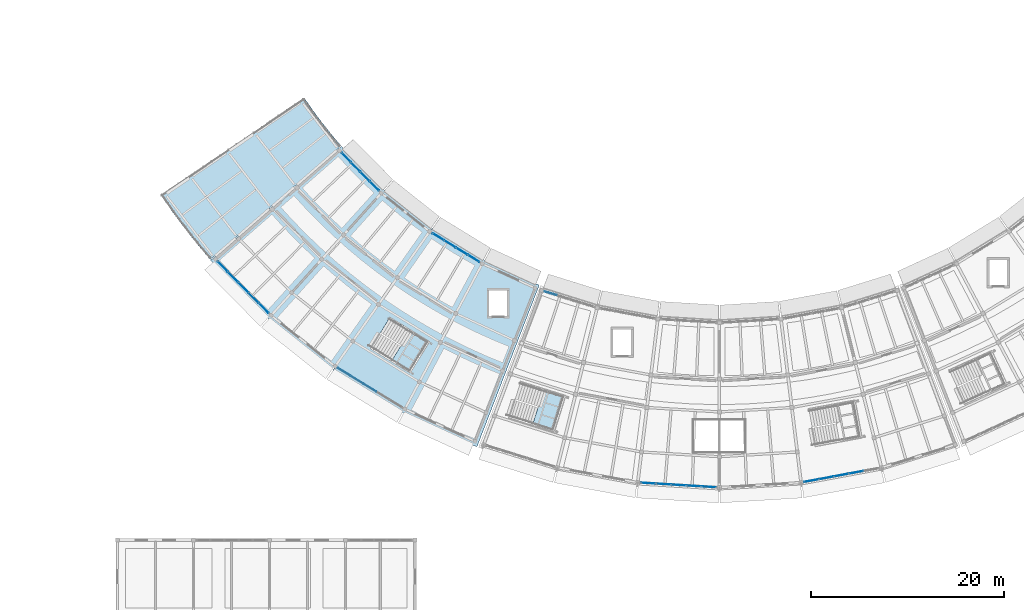
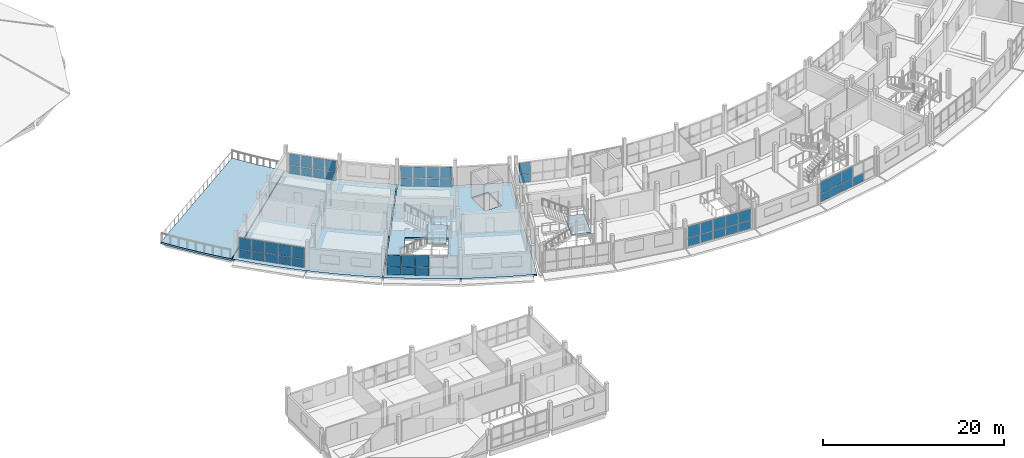
# One storey, part 42 of 66: 51 plates, 5 slabs, 9 elements without a shape of their own.
"""IFC4 building model written with IfcOpenShell, lengths in metres."""

from ifc_helpers import new_model, si_unit, direction, frame, origin, origin_2d, place, context, subcontext, project, spatial, polyline, rectangle, outline, extrude, material, layer, layer_set, type_object, element, aggregate, save


model = new_model("IFC4")

# Units and contexts
model_context = context("Model", 3, precision=1e-05, world=origin(), true_north=direction((0.0, 1.0)))
body_context = subcontext(model_context, "Body", "Model", "MODEL_VIEW")
ifc_project = project(units=[si_unit("LENGTHUNIT", "METRE"), si_unit("AREAUNIT", "SQUARE_METRE"), si_unit("VOLUMEUNIT", "CUBIC_METRE"), si_unit("PLANEANGLEUNIT", "RADIAN"), si_unit("MASSUNIT", "GRAM", prefix="KILO")], contexts=[model_context])

# Site, building, storey
site_placement = place(None, origin())
site = spatial("IfcSite", under=ifc_project, at=site_placement, CompositionType="ELEMENT")
building_placement = place(site_placement, origin())
building = spatial("IfcBuilding", under=site, at=building_placement, Name="Caldaven Crescent School", CompositionType="ELEMENT")
storey_placement = place(building_placement, frame((0.0, 0.0, 8.159912109375)))
storey = spatial("IfcBuildingStorey", under=building, at=storey_placement, Name="L02", CompositionType="ELEMENT", Elevation=8.159912109375)

# Curtain wall, plates
ifc_material_1 = material(Name="Anodised aluminium AA 6063-T6 and low-E double glazing", Category="aluminium")
ifc_layer_1 = layer(ifc_material_1, 0.2099609375)
ifc_layer_set_1 = layer_set([ifc_layer_1], Name="Anodised aluminium AA 6063-T6 and low-E double glazing")
curtain_wall_type_1 = type_object("IfcCurtainWallType", Name="CW-SYS3", PredefinedType="NOTDEFINED", material=ifc_layer_set_1)
curtain_wall_1_placement = place(storey_placement, origin())
curtain_wall_1 = element("IfcCurtainWall", 1, at=curtain_wall_1_placement, inside=storey, type_object=curtain_wall_type_1, Name="CW-L02-144", PredefinedType="NOTDEFINED")
ifc_material_2 = material(Name="Tempered low-E double glazing IGU", Category="glass")
ifc_layer_2 = layer(ifc_material_2, 0.02587890625)
ifc_layer_set_2 = layer_set([ifc_layer_2], Name="Tempered low-E double glazing IGU")
plate_type_1 = type_object("IfcPlateType", Name="PLT-CWP01", PredefinedType="CURTAIN_PANEL", material=ifc_layer_set_2)
plate_1_placement = place(storey_placement, frame((80.62744140625, 26.90087890625, 0.070068359375), z_axis=(0.0, 0.0, 1.0), x_axis=(0.998134766843, -0.061049055851, 0.0)))
plate_1 = element("IfcPlate", 2, at=plate_1_placement, type_object=plate_type_1, Name="CW3 panel 1.1", PredefinedType="CURTAIN_PANEL", context=body_context, shape_type="SweptSolid", body=[
    extrude(rectangle(XDim=1.48095703125, YDim=0.02587890625, at=origin_2d()), origin(), (0.0, 0.0, 1.0), 1.06298828125),
])
plate_2_placement = place(storey_placement, frame((80.62744140625, 26.90087890625, 1.203125), z_axis=(0.0, 0.0, 1.0), x_axis=(0.998134766843, -0.061049055851, 0.0)))
plate_2 = element("IfcPlate", 3, at=plate_2_placement, type_object=plate_type_1, Name="CW3 panel 1.2", PredefinedType="CURTAIN_PANEL", context=body_context, shape_type="SweptSolid", body=[
    extrude(rectangle(XDim=1.48095703125, YDim=0.02587890625, at=origin_2d()), origin(), (0.0, 0.0, 1.0), 1.507080078125),
])
plate_3_placement = place(storey_placement, frame((82.1865234375, 26.8056640625, 0.070068359375), z_axis=(0.0, 0.0, 1.0), x_axis=(0.998134766843, -0.061049055851, 0.0)))
plate_3 = element("IfcPlate", 4, at=plate_3_placement, type_object=plate_type_1, Name="CW3 panel 2.1", PredefinedType="CURTAIN_PANEL", context=body_context, shape_type="SweptSolid", body=[
    extrude(rectangle(XDim=1.513427734375, YDim=0.02587890625, at=origin_2d()), origin(), (0.0, 0.0, 1.0), 1.06298828125),
])
plate_4_placement = place(storey_placement, frame((82.1865234375, 26.8056640625, 1.203125), z_axis=(0.0, 0.0, 1.0), x_axis=(0.998134766843, -0.061049055851, 0.0)))
plate_4 = element("IfcPlate", 5, at=plate_4_placement, type_object=plate_type_1, Name="CW3 panel 2.2", PredefinedType="CURTAIN_PANEL", context=body_context, shape_type="SweptSolid", body=[
    extrude(rectangle(XDim=1.513427734375, YDim=0.02587890625, at=origin_2d()), origin(), (0.0, 0.0, 1.0), 1.507080078125),
])
plate_5_placement = place(storey_placement, frame((83.761962890625, 26.709228515625, 0.070068359375), z_axis=(0.0, 0.0, 1.0), x_axis=(0.998134766843, -0.061049055851, 0.0)))
plate_5 = element("IfcPlate", 6, at=plate_5_placement, type_object=plate_type_1, Name="CW3 panel 3.1", PredefinedType="CURTAIN_PANEL", context=body_context, shape_type="SweptSolid", body=[
    extrude(rectangle(XDim=1.513427734375, YDim=0.02587890625, at=origin_2d()), origin(), (0.0, 0.0, 1.0), 1.06298828125),
])
plate_6_placement = place(storey_placement, frame((83.761962890625, 26.709228515625, 1.203125), z_axis=(0.0, 0.0, 1.0), x_axis=(0.998134766843, -0.061049055851, 0.0)))
plate_6 = element("IfcPlate", 7, at=plate_6_placement, type_object=plate_type_1, Name="CW3 panel 3.2", PredefinedType="CURTAIN_PANEL", context=body_context, shape_type="SweptSolid", body=[
    extrude(rectangle(XDim=1.513427734375, YDim=0.02587890625, at=origin_2d()), origin(), (0.0, 0.0, 1.0), 1.507080078125),
])
plate_7_placement = place(storey_placement, frame((85.33740234375, 26.61279296875, 0.070068359375), z_axis=(0.0, 0.0, 1.0), x_axis=(0.998134766843, -0.061049055851, 0.0)))
plate_7 = element("IfcPlate", 8, at=plate_7_placement, type_object=plate_type_1, Name="CW3 panel 4.1", PredefinedType="CURTAIN_PANEL", context=body_context, shape_type="SweptSolid", body=[
    extrude(rectangle(XDim=1.513427734375, YDim=0.02587890625, at=origin_2d()), origin(), (0.0, 0.0, 1.0), 1.06298828125),
])
plate_8_placement = place(storey_placement, frame((85.33740234375, 26.61279296875, 1.203125), z_axis=(0.0, 0.0, 1.0), x_axis=(0.998134766843, -0.061049055851, 0.0)))
plate_8 = element("IfcPlate", 9, at=plate_8_placement, type_object=plate_type_1, Name="CW3 panel 4.2", PredefinedType="CURTAIN_PANEL", context=body_context, shape_type="SweptSolid", body=[
    extrude(rectangle(XDim=1.513427734375, YDim=0.02587890625, at=origin_2d()), origin(), (0.0, 0.0, 1.0), 1.507080078125),
])
plate_9_placement = place(storey_placement, frame((86.896728515625, 26.517578125, 0.070068359375), z_axis=(0.0, 0.0, 1.0), x_axis=(0.998134766843, -0.061049055851, 0.0)))
plate_9 = element("IfcPlate", 10, at=plate_9_placement, type_object=plate_type_1, Name="CW3 panel 5.1", PredefinedType="CURTAIN_PANEL", context=body_context, shape_type="SweptSolid", body=[
    extrude(rectangle(XDim=1.48095703125, YDim=0.02587890625, at=origin_2d()), origin(), (0.0, 0.0, 1.0), 1.06298828125),
])
plate_10_placement = place(storey_placement, frame((86.896728515625, 26.517578125, 1.203125), z_axis=(0.0, 0.0, 1.0), x_axis=(0.998134766843, -0.061049055851, 0.0)))
plate_10 = element("IfcPlate", 11, at=plate_10_placement, type_object=plate_type_1, Name="CW3 panel 5.2", PredefinedType="CURTAIN_PANEL", context=body_context, shape_type="SweptSolid", body=[
    extrude(rectangle(XDim=1.48095703125, YDim=0.02587890625, at=origin_2d()), origin(), (0.0, 0.0, 1.0), 1.507080078125),
])
aggregate(curtain_wall_1, [plate_1, plate_2, plate_3, plate_4, plate_5, plate_6, plate_7, plate_8, plate_9, plate_10])

ifc_layer_3 = layer(ifc_material_1, 0.169921875)
ifc_layer_set_3 = layer_set([ifc_layer_3], Name="Anodised aluminium AA 6063-T6 and low-E double glazing")
curtain_wall_type_2 = type_object("IfcCurtainWallType", Name="CW-SYS1", PredefinedType="NOTDEFINED", material=ifc_layer_set_3)
curtain_wall_2_placement = place(storey_placement, origin())
curtain_wall_2 = element("IfcCurtainWall", 12, at=curtain_wall_2_placement, inside=storey, type_object=curtain_wall_type_2, Name="CW-L02-147", PredefinedType="NOTDEFINED")
ifc_layer_4 = layer(ifc_material_2, 0.031982421875)
ifc_layer_set_4 = layer_set([ifc_layer_4], Name="Tempered low-E double glazing IGU")
plate_type_2 = type_object("IfcPlateType", Name="PLT-CWP04", PredefinedType="CURTAIN_PANEL", material=ifc_layer_set_4)
plate_11_placement = place(storey_placement, frame((97.561767578125, 27.169677734375, 0.06005859375), z_axis=(0.0, 0.0, 1.0), x_axis=(0.983255029874, 0.182234865564, 0.0)))
plate_11 = element("IfcPlate", 13, at=plate_11_placement, type_object=plate_type_2, Name="CW1 panel 1.1", PredefinedType="CURTAIN_PANEL", context=body_context, shape_type="SweptSolid", body=[
    extrude(rectangle(XDim=1.48828125, YDim=0.031982421875, at=origin_2d()), origin(), (0.0, 0.0, 1.0), 1.077880859375),
])
plate_12_placement = place(storey_placement, frame((97.561767578125, 27.169677734375, 1.197998046875), z_axis=(0.0, 0.0, 1.0), x_axis=(0.983255029874, 0.182234865564, 0.0)))
plate_12 = element("IfcPlate", 14, at=plate_12_placement, type_object=plate_type_2, Name="CW1 panel 1.2", PredefinedType="CURTAIN_PANEL", context=body_context, shape_type="SweptSolid", body=[
    extrude(rectangle(XDim=1.48828125, YDim=0.031982421875, at=origin_2d()), origin(), (0.0, 0.0, 1.0), 1.52197265625),
])
plate_13_placement = place(storey_placement, frame((99.098876953125, 27.45458984375, 0.06005859375), z_axis=(0.0, 0.0, 1.0), x_axis=(0.983255029874, 0.182234865564, 0.0)))
plate_13 = element("IfcPlate", 15, at=plate_13_placement, type_object=plate_type_2, Name="CW1 panel 2.1", PredefinedType="CURTAIN_PANEL", context=body_context, shape_type="SweptSolid", body=[
    extrude(rectangle(XDim=1.518310546875, YDim=0.031982421875, at=origin_2d()), origin(), (0.0, 0.0, 1.0), 1.077880859375),
])
plate_14_placement = place(storey_placement, frame((99.098876953125, 27.45458984375, 1.197998046875), z_axis=(0.0, 0.0, 1.0), x_axis=(0.983255029874, 0.182234865564, 0.0)))
plate_14 = element("IfcPlate", 16, at=plate_14_placement, type_object=plate_type_2, Name="CW1 panel 2.2", PredefinedType="CURTAIN_PANEL", context=body_context, shape_type="SweptSolid", body=[
    extrude(rectangle(XDim=1.518310546875, YDim=0.031982421875, at=origin_2d()), origin(), (0.0, 0.0, 1.0), 1.52197265625),
])
plate_15_placement = place(storey_placement, frame((100.65087890625, 27.7421875, 0.06005859375), z_axis=(0.0, 0.0, 1.0), x_axis=(0.983255029874, 0.182234865564, 0.0)))
plate_15 = element("IfcPlate", 17, at=plate_15_placement, type_object=plate_type_2, Name="CW1 panel 3.1", PredefinedType="CURTAIN_PANEL", context=body_context, shape_type="SweptSolid", body=[
    extrude(rectangle(XDim=1.518310546875, YDim=0.031982421875, at=origin_2d()), origin(), (0.0, 0.0, 1.0), 1.077880859375),
])
plate_16_placement = place(storey_placement, frame((100.65087890625, 27.7421875, 1.197998046875), z_axis=(0.0, 0.0, 1.0), x_axis=(0.983255029874, 0.182234865564, 0.0)))
plate_16 = element("IfcPlate", 18, at=plate_16_placement, type_object=plate_type_2, Name="CW1 panel 3.2", PredefinedType="CURTAIN_PANEL", context=body_context, shape_type="SweptSolid", body=[
    extrude(rectangle(XDim=1.518310546875, YDim=0.031982421875, at=origin_2d()), origin(), (0.0, 0.0, 1.0), 1.52197265625),
])
plate_17_placement = place(storey_placement, frame((102.202880859375, 28.02978515625, 0.06005859375), z_axis=(0.0, 0.0, 1.0), x_axis=(0.983255029874, 0.182234865564, 0.0)))
plate_17 = element("IfcPlate", 19, at=plate_17_placement, type_object=plate_type_2, Name="CW1 panel 4.1", PredefinedType="CURTAIN_PANEL", context=body_context, shape_type="SweptSolid", body=[
    extrude(rectangle(XDim=1.518310546875, YDim=0.031982421875, at=origin_2d()), origin(), (0.0, 0.0, 1.0), 1.077880859375),
])
aggregate(curtain_wall_2, [plate_11, plate_12, plate_13, plate_14, plate_15, plate_16, plate_17])

curtain_wall_3_placement = place(storey_placement, origin())
curtain_wall_3 = element("IfcCurtainWall", 20, at=curtain_wall_3_placement, inside=storey, type_object=curtain_wall_type_1, Name="CW-L02-136", PredefinedType="NOTDEFINED")
ifc_layer_5 = layer(ifc_material_2, 0.05810546875)
ifc_layer_set_5 = layer_set([ifc_layer_5], Name="Tempered low-E double glazing IGU")
plate_type_3 = type_object("IfcPlateType", Name="PLT-CWP17", PredefinedType="CURTAIN_PANEL", material=ifc_layer_set_5)
plate_18_placement = place(storey_placement, frame((49.2705078125, 60.704345703125, 0.06494140625), z_axis=(0.0, 0.0, 1.0), x_axis=(0.702369599793, -0.711812436873, 0.0)))
plate_18 = element("IfcPlate", 21, at=plate_18_placement, type_object=plate_type_3, Name="CW3 panel 1.1", PredefinedType="CURTAIN_PANEL", context=body_context, shape_type="SweptSolid", body=[
    extrude(rectangle(XDim=1.292236328125, YDim=0.05810546875, at=origin_2d()), origin(), (0.0, 0.0, 1.0), 1.070556640625),
])
plate_19_placement = place(storey_placement, frame((49.2705078125, 60.704345703125, 1.20068359375), z_axis=(0.0, 0.0, 1.0), x_axis=(0.702369599793, -0.711812436873, 0.0)))
plate_19 = element("IfcPlate", 22, at=plate_19_placement, type_object=plate_type_3, Name="CW3 panel 1.2", PredefinedType="CURTAIN_PANEL", context=body_context, shape_type="SweptSolid", body=[
    extrude(rectangle(XDim=1.292236328125, YDim=0.05810546875, at=origin_2d()), origin(), (0.0, 0.0, 1.0), 1.514404296875),
])
plate_20_placement = place(storey_placement, frame((50.23974609375, 59.72216796875, 0.06494140625), z_axis=(0.0, 0.0, 1.0), x_axis=(0.702369599793, -0.711812436873, 0.0)))
plate_20 = element("IfcPlate", 23, at=plate_20_placement, type_object=plate_type_3, Name="CW3 panel 2.1", PredefinedType="CURTAIN_PANEL", context=body_context, shape_type="SweptSolid", body=[
    extrude(rectangle(XDim=1.327392578125, YDim=0.05810546875, at=origin_2d()), origin(), (0.0, 0.0, 1.0), 1.070556640625),
])
plate_21_placement = place(storey_placement, frame((50.23974609375, 59.72216796875, 1.20068359375), z_axis=(0.0, 0.0, 1.0), x_axis=(0.702369599793, -0.711812436873, 0.0)))
plate_21 = element("IfcPlate", 24, at=plate_21_placement, type_object=plate_type_3, Name="CW3 panel 2.2", PredefinedType="CURTAIN_PANEL", context=body_context, shape_type="SweptSolid", body=[
    extrude(rectangle(XDim=1.327392578125, YDim=0.05810546875, at=origin_2d()), origin(), (0.0, 0.0, 1.0), 1.514404296875),
])
plate_22_placement = place(storey_placement, frame((51.22119140625, 58.7275390625, 0.06494140625), z_axis=(0.0, 0.0, 1.0), x_axis=(0.702369599793, -0.711812436873, 0.0)))
plate_22 = element("IfcPlate", 25, at=plate_22_placement, type_object=plate_type_3, Name="CW3 panel 3.1", PredefinedType="CURTAIN_PANEL", context=body_context, shape_type="SweptSolid", body=[
    extrude(rectangle(XDim=1.327392578125, YDim=0.05810546875, at=origin_2d()), origin(), (0.0, 0.0, 1.0), 1.070556640625),
])
plate_23_placement = place(storey_placement, frame((51.22119140625, 58.7275390625, 1.20068359375), z_axis=(0.0, 0.0, 1.0), x_axis=(0.702369599793, -0.711812436873, 0.0)))
plate_23 = element("IfcPlate", 26, at=plate_23_placement, type_object=plate_type_3, Name="CW3 panel 3.2", PredefinedType="CURTAIN_PANEL", context=body_context, shape_type="SweptSolid", body=[
    extrude(rectangle(XDim=1.327392578125, YDim=0.05810546875, at=origin_2d()), origin(), (0.0, 0.0, 1.0), 1.514404296875),
])
plate_24_placement = place(storey_placement, frame((52.1904296875, 57.745361328125, 0.06494140625), z_axis=(0.0, 0.0, 1.0), x_axis=(0.702369599793, -0.711812436873, 0.0)))
plate_24 = element("IfcPlate", 27, at=plate_24_placement, type_object=plate_type_3, Name="CW3 panel 4.1", PredefinedType="CURTAIN_PANEL", context=body_context, shape_type="SweptSolid", body=[
    extrude(rectangle(XDim=1.292236328125, YDim=0.05810546875, at=origin_2d()), origin(), (0.0, 0.0, 1.0), 1.070556640625),
])
plate_25_placement = place(storey_placement, frame((52.1904296875, 57.745361328125, 1.20068359375), z_axis=(0.0, 0.0, 1.0), x_axis=(0.702369599793, -0.711812436873, 0.0)))
plate_25 = element("IfcPlate", 28, at=plate_25_placement, type_object=plate_type_3, Name="CW3 panel 4.2", PredefinedType="CURTAIN_PANEL", context=body_context, shape_type="SweptSolid", body=[
    extrude(rectangle(XDim=1.292236328125, YDim=0.05810546875, at=origin_2d()), origin(), (0.0, 0.0, 1.0), 1.514404296875),
])
aggregate(curtain_wall_3, [plate_18, plate_19, plate_20, plate_21, plate_22, plate_23, plate_24, plate_25])

curtain_wall_4_placement = place(storey_placement, origin())
curtain_wall_4 = element("IfcCurtainWall", 29, at=curtain_wall_4_placement, inside=storey, type_object=curtain_wall_type_2, Name="CW-L02-137", PredefinedType="NOTDEFINED")
ifc_layer_6 = layer(ifc_material_2, 0.06005859375)
ifc_layer_set_6 = layer_set([ifc_layer_6], Name="Tempered low-E double glazing IGU")
plate_type_4 = type_object("IfcPlateType", Name="PLT-CWP18", PredefinedType="CURTAIN_PANEL", material=ifc_layer_set_6)
plate_26_placement = place(storey_placement, frame((36.453857421875, 49.3896484375, 0.070068359375), z_axis=(0.0, 0.0, 1.0), x_axis=(0.702369916156, -0.711812124706, 0.0)))
plate_26 = element("IfcPlate", 30, at=plate_26_placement, type_object=plate_type_4, Name="CW1 panel 1.1", PredefinedType="CURTAIN_PANEL", context=body_context, shape_type="SweptSolid", body=[
    extrude(rectangle(XDim=1.424072265625, YDim=0.06005859375, at=origin_2d()), origin(), (0.0, 0.0, 1.0), 1.06298828125),
])
plate_27_placement = place(storey_placement, frame((36.453857421875, 49.3896484375, 1.203125), z_axis=(0.0, 0.0, 1.0), x_axis=(0.702369916156, -0.711812124706, 0.0)))
plate_27 = element("IfcPlate", 31, at=plate_27_placement, type_object=plate_type_4, Name="CW1 panel 1.2", PredefinedType="CURTAIN_PANEL", context=body_context, shape_type="SweptSolid", body=[
    extrude(rectangle(XDim=1.424072265625, YDim=0.06005859375, at=origin_2d()), origin(), (0.0, 0.0, 1.0), 1.507080078125),
])
plate_28_placement = place(storey_placement, frame((37.510986328125, 48.318359375, 0.070068359375), z_axis=(0.0, 0.0, 1.0), x_axis=(0.702369916156, -0.711812124706, 0.0)))
plate_28 = element("IfcPlate", 32, at=plate_28_placement, type_object=plate_type_4, Name="CW1 panel 2.1", PredefinedType="CURTAIN_PANEL", context=body_context, shape_type="SweptSolid", body=[
    extrude(rectangle(XDim=1.45654296875, YDim=0.06005859375, at=origin_2d()), origin(), (0.0, 0.0, 1.0), 1.06298828125),
])
plate_29_placement = place(storey_placement, frame((37.510986328125, 48.318359375, 1.203125), z_axis=(0.0, 0.0, 1.0), x_axis=(0.702369916156, -0.711812124706, 0.0)))
plate_29 = element("IfcPlate", 33, at=plate_29_placement, type_object=plate_type_4, Name="CW1 panel 2.2", PredefinedType="CURTAIN_PANEL", context=body_context, shape_type="SweptSolid", body=[
    extrude(rectangle(XDim=1.45654296875, YDim=0.06005859375, at=origin_2d()), origin(), (0.0, 0.0, 1.0), 1.507080078125),
])
plate_30_placement = place(storey_placement, frame((38.57958984375, 47.2353515625, 0.070068359375), z_axis=(0.0, 0.0, 1.0), x_axis=(0.702369916156, -0.711812124706, 0.0)))
plate_30 = element("IfcPlate", 34, at=plate_30_placement, type_object=plate_type_4, Name="CW1 panel 3.1", PredefinedType="CURTAIN_PANEL", context=body_context, shape_type="SweptSolid", body=[
    extrude(rectangle(XDim=1.45654296875, YDim=0.06005859375, at=origin_2d()), origin(), (0.0, 0.0, 1.0), 1.06298828125),
])
plate_31_placement = place(storey_placement, frame((38.57958984375, 47.2353515625, 1.203125), z_axis=(0.0, 0.0, 1.0), x_axis=(0.702369916156, -0.711812124706, 0.0)))
plate_31 = element("IfcPlate", 35, at=plate_31_placement, type_object=plate_type_4, Name="CW1 panel 3.2", PredefinedType="CURTAIN_PANEL", context=body_context, shape_type="SweptSolid", body=[
    extrude(rectangle(XDim=1.45654296875, YDim=0.06005859375, at=origin_2d()), origin(), (0.0, 0.0, 1.0), 1.507080078125),
])
plate_32_placement = place(storey_placement, frame((39.648193359375, 46.15234375, 0.070068359375), z_axis=(0.0, 0.0, 1.0), x_axis=(0.702369916156, -0.711812124706, 0.0)))
plate_32 = element("IfcPlate", 36, at=plate_32_placement, type_object=plate_type_4, Name="CW1 panel 4.1", PredefinedType="CURTAIN_PANEL", context=body_context, shape_type="SweptSolid", body=[
    extrude(rectangle(XDim=1.45654296875, YDim=0.06005859375, at=origin_2d()), origin(), (0.0, 0.0, 1.0), 1.06298828125),
])
plate_33_placement = place(storey_placement, frame((39.648193359375, 46.15234375, 1.203125), z_axis=(0.0, 0.0, 1.0), x_axis=(0.702369916156, -0.711812124706, 0.0)))
plate_33 = element("IfcPlate", 37, at=plate_33_placement, type_object=plate_type_4, Name="CW1 panel 4.2", PredefinedType="CURTAIN_PANEL", context=body_context, shape_type="SweptSolid", body=[
    extrude(rectangle(XDim=1.45654296875, YDim=0.06005859375, at=origin_2d()), origin(), (0.0, 0.0, 1.0), 1.507080078125),
])
plate_34_placement = place(storey_placement, frame((40.70556640625, 45.080810546875, 0.070068359375), z_axis=(0.0, 0.0, 1.0), x_axis=(0.702369916156, -0.711812124706, 0.0)))
plate_34 = element("IfcPlate", 38, at=plate_34_placement, type_object=plate_type_4, Name="CW1 panel 5.1", PredefinedType="CURTAIN_PANEL", context=body_context, shape_type="SweptSolid", body=[
    extrude(rectangle(XDim=1.424072265625, YDim=0.06005859375, at=origin_2d()), origin(), (0.0, 0.0, 1.0), 1.06298828125),
])
plate_35_placement = place(storey_placement, frame((40.70556640625, 45.080810546875, 1.203125), z_axis=(0.0, 0.0, 1.0), x_axis=(0.702369916156, -0.711812124706, 0.0)))
plate_35 = element("IfcPlate", 39, at=plate_35_placement, type_object=plate_type_4, Name="CW1 panel 5.2", PredefinedType="CURTAIN_PANEL", context=body_context, shape_type="SweptSolid", body=[
    extrude(rectangle(XDim=1.424072265625, YDim=0.06005859375, at=origin_2d()), origin(), (0.0, 0.0, 1.0), 1.507080078125),
])
aggregate(curtain_wall_4, [plate_26, plate_27, plate_28, plate_29, plate_30, plate_31, plate_32, plate_33, plate_34, plate_35])

curtain_wall_5_placement = place(storey_placement, origin())
curtain_wall_5 = element("IfcCurtainWall", 40, at=curtain_wall_5_placement, inside=storey, type_object=curtain_wall_type_2, Name="CW-L02-138", PredefinedType="NOTDEFINED")
ifc_material_3 = material(Name="Insulated bronze aluminium spandrel panel", Category="aluminium")
ifc_layer_7 = layer(ifc_material_3, 0.06201171875)
ifc_layer_set_7 = layer_set([ifc_layer_7], Name="Insulated bronze aluminium spandrel panel")
plate_type_5 = type_object("IfcPlateType", Name="PLT-CWP19", PredefinedType="CURTAIN_PANEL", material=ifc_layer_set_7)
plate_36_placement = place(storey_placement, frame((58.80419921875, 52.4912109375, 0.070068359375), z_axis=(0.0, 0.0, 1.0), x_axis=(0.852639656854, -0.522499392879, 0.0)))
plate_36 = element("IfcPlate", 41, at=plate_36_placement, type_object=plate_type_5, Name="CW1 panel 1.1", PredefinedType="CURTAIN_PANEL", context=body_context, shape_type="SweptSolid", body=[
    extrude(rectangle(XDim=1.353515625, YDim=0.06201171875, at=origin_2d()), origin(), (0.0, 0.0, 1.0), 1.06298828125),
])
plate_37_placement = place(storey_placement, frame((58.80419921875, 52.4912109375, 1.203125), z_axis=(0.0, 0.0, 1.0), x_axis=(0.852639656854, -0.522499392879, 0.0)))
plate_37 = element("IfcPlate", 42, at=plate_37_placement, type_object=plate_type_5, Name="CW1 panel 1.2", PredefinedType="CURTAIN_PANEL", context=body_context, shape_type="SweptSolid", body=[
    extrude(rectangle(XDim=1.353515625, YDim=0.06201171875, at=origin_2d()), origin(), (0.0, 0.0, 1.0), 1.507080078125),
])
plate_38_placement = place(storey_placement, frame((60.027587890625, 51.741455078125, 0.070068359375), z_axis=(0.0, 0.0, 1.0), x_axis=(0.852639656854, -0.522499392879, 0.0)))
plate_38 = element("IfcPlate", 43, at=plate_38_placement, type_object=plate_type_5, Name="CW1 panel 2.1", PredefinedType="CURTAIN_PANEL", context=body_context, shape_type="SweptSolid", body=[
    extrude(rectangle(XDim=1.385986328125, YDim=0.06201171875, at=origin_2d()), origin(), (0.0, 0.0, 1.0), 1.06298828125),
])
plate_39_placement = place(storey_placement, frame((60.027587890625, 51.741455078125, 1.203125), z_axis=(0.0, 0.0, 1.0), x_axis=(0.852639656854, -0.522499392879, 0.0)))
plate_39 = element("IfcPlate", 44, at=plate_39_placement, type_object=plate_type_5, Name="CW1 panel 2.2", PredefinedType="CURTAIN_PANEL", context=body_context, shape_type="SweptSolid", body=[
    extrude(rectangle(XDim=1.385986328125, YDim=0.06201171875, at=origin_2d()), origin(), (0.0, 0.0, 1.0), 1.507080078125),
])
plate_40_placement = place(storey_placement, frame((61.2646484375, 50.9833984375, 0.070068359375), z_axis=(0.0, 0.0, 1.0), x_axis=(0.852639656854, -0.522499392879, 0.0)))
plate_40 = element("IfcPlate", 45, at=plate_40_placement, type_object=plate_type_5, Name="CW1 panel 3.1", PredefinedType="CURTAIN_PANEL", context=body_context, shape_type="SweptSolid", body=[
    extrude(rectangle(XDim=1.385986328125, YDim=0.06201171875, at=origin_2d()), origin(), (0.0, 0.0, 1.0), 1.06298828125),
])
plate_41_placement = place(storey_placement, frame((61.2646484375, 50.9833984375, 1.203125), z_axis=(0.0, 0.0, 1.0), x_axis=(0.852639656854, -0.522499392879, 0.0)))
plate_41 = element("IfcPlate", 46, at=plate_41_placement, type_object=plate_type_5, Name="CW1 panel 3.2", PredefinedType="CURTAIN_PANEL", context=body_context, shape_type="SweptSolid", body=[
    extrude(rectangle(XDim=1.385986328125, YDim=0.06201171875, at=origin_2d()), origin(), (0.0, 0.0, 1.0), 1.507080078125),
])
plate_42_placement = place(storey_placement, frame((62.488037109375, 50.233642578125, 0.070068359375), z_axis=(0.0, 0.0, 1.0), x_axis=(0.852639656854, -0.522499392879, 0.0)))
plate_42 = element("IfcPlate", 47, at=plate_42_placement, type_object=plate_type_5, Name="CW1 panel 4.1", PredefinedType="CURTAIN_PANEL", context=body_context, shape_type="SweptSolid", body=[
    extrude(rectangle(XDim=1.353515625, YDim=0.06201171875, at=origin_2d()), origin(), (0.0, 0.0, 1.0), 1.06298828125),
])
plate_43_placement = place(storey_placement, frame((62.488037109375, 50.233642578125, 1.203125), z_axis=(0.0, 0.0, 1.0), x_axis=(0.852639656854, -0.522499392879, 0.0)))
plate_43 = element("IfcPlate", 48, at=plate_43_placement, type_object=plate_type_5, Name="CW1 panel 4.2", PredefinedType="CURTAIN_PANEL", context=body_context, shape_type="SweptSolid", body=[
    extrude(rectangle(XDim=1.353515625, YDim=0.06201171875, at=origin_2d()), origin(), (0.0, 0.0, 1.0), 1.507080078125),
])
aggregate(curtain_wall_5, [plate_36, plate_37, plate_38, plate_39, plate_40, plate_41, plate_42, plate_43])

curtain_wall_6_placement = place(storey_placement, origin())
curtain_wall_6 = element("IfcCurtainWall", 49, at=curtain_wall_6_placement, inside=storey, type_object=curtain_wall_type_1, Name="CW-L02-139", PredefinedType="NOTDEFINED")
ifc_layer_8 = layer(ifc_material_3, 0.06396484375)
ifc_layer_set_8 = layer_set([ifc_layer_8], Name="Insulated bronze aluminium spandrel panel")
plate_type_6 = type_object("IfcPlateType", Name="PLT-CWP20", PredefinedType="CURTAIN_PANEL", material=ifc_layer_set_8)
plate_44_placement = place(storey_placement, frame((49.04931640625, 38.450927734375, 0.06005859375), z_axis=(0.0, 0.0, 1.0), x_axis=(0.852639676124, -0.522499361435, 0.0)))
plate_44 = element("IfcPlate", 50, at=plate_44_placement, type_object=plate_type_6, Name="CW3 panel 1.1", PredefinedType="CURTAIN_PANEL", context=body_context, shape_type="SweptSolid", body=[
    extrude(rectangle(XDim=1.48828125, YDim=0.06396484375, at=origin_2d()), origin(), (0.0, 0.0, 1.0), 1.077880859375),
])
plate_45_placement = place(storey_placement, frame((49.04931640625, 38.450927734375, 1.197998046875), z_axis=(0.0, 0.0, 1.0), x_axis=(0.852639676124, -0.522499361435, 0.0)))
plate_45 = element("IfcPlate", 51, at=plate_45_placement, type_object=plate_type_6, Name="CW3 panel 1.2", PredefinedType="CURTAIN_PANEL", context=body_context, shape_type="SweptSolid", body=[
    extrude(rectangle(XDim=1.48828125, YDim=0.06396484375, at=origin_2d()), origin(), (0.0, 0.0, 1.0), 1.52197265625),
])
plate_46_placement = place(storey_placement, frame((50.38232421875, 37.63427734375, 0.06005859375), z_axis=(0.0, 0.0, 1.0), x_axis=(0.852639676124, -0.522499361435, 0.0)))
plate_46 = element("IfcPlate", 52, at=plate_46_placement, type_object=plate_type_6, Name="CW3 panel 2.1", PredefinedType="CURTAIN_PANEL", context=body_context, shape_type="SweptSolid", body=[
    extrude(rectangle(XDim=1.518310546875, YDim=0.06396484375, at=origin_2d()), origin(), (0.0, 0.0, 1.0), 1.077880859375),
])
plate_47_placement = place(storey_placement, frame((50.38232421875, 37.63427734375, 1.197998046875), z_axis=(0.0, 0.0, 1.0), x_axis=(0.852639676124, -0.522499361435, 0.0)))
plate_47 = element("IfcPlate", 53, at=plate_47_placement, type_object=plate_type_6, Name="CW3 panel 2.2", PredefinedType="CURTAIN_PANEL", context=body_context, shape_type="SweptSolid", body=[
    extrude(rectangle(XDim=1.518310546875, YDim=0.06396484375, at=origin_2d()), origin(), (0.0, 0.0, 1.0), 1.52197265625),
])
plate_48_placement = place(storey_placement, frame((51.72802734375, 36.8095703125, 0.06005859375), z_axis=(0.0, 0.0, 1.0), x_axis=(0.852639676124, -0.522499361435, 0.0)))
plate_48 = element("IfcPlate", 54, at=plate_48_placement, type_object=plate_type_6, Name="CW3 panel 3.1", PredefinedType="CURTAIN_PANEL", context=body_context, shape_type="SweptSolid", body=[
    extrude(rectangle(XDim=1.518310546875, YDim=0.06396484375, at=origin_2d()), origin(), (0.0, 0.0, 1.0), 1.077880859375),
])
plate_49_placement = place(storey_placement, frame((51.72802734375, 36.8095703125, 1.197998046875), z_axis=(0.0, 0.0, 1.0), x_axis=(0.852639676124, -0.522499361435, 0.0)))
plate_49 = element("IfcPlate", 55, at=plate_49_placement, type_object=plate_type_6, Name="CW3 panel 3.2", PredefinedType="CURTAIN_PANEL", context=body_context, shape_type="SweptSolid", body=[
    extrude(rectangle(XDim=1.518310546875, YDim=0.06396484375, at=origin_2d()), origin(), (0.0, 0.0, 1.0), 1.52197265625),
])
aggregate(curtain_wall_6, [plate_44, plate_45, plate_46, plate_47, plate_48, plate_49])

curtain_wall_7_placement = place(storey_placement, origin())
curtain_wall_7 = element("IfcCurtainWall", 56, at=curtain_wall_7_placement, inside=storey, type_object=curtain_wall_type_1, Name="CW-L02-140", PredefinedType="NOTDEFINED")
ifc_layer_9 = layer(ifc_material_3, 0.06591796875)
ifc_layer_set_9 = layer_set([ifc_layer_9], Name="Insulated bronze aluminium spandrel panel")
plate_type_7 = type_object("IfcPlateType", Name="PLT-CWP21", PredefinedType="CURTAIN_PANEL", material=ifc_layer_set_9)
plate_50_placement = place(storey_placement, frame((70.49169921875, 46.609375, 0.06005859375), z_axis=(0.0, 0.0, 1.0), x_axis=(0.954746818344, -0.297419758694, 0.0)))
plate_50 = element("IfcPlate", 57, at=plate_50_placement, type_object=plate_type_7, Name="CW3 panel 1.1", PredefinedType="CURTAIN_PANEL", context=body_context, shape_type="SweptSolid", body=[
    extrude(rectangle(XDim=1.270751953125, YDim=0.06591796875, at=origin_2d()), origin(), (0.0, 0.0, 1.0), 1.077880859375),
])
plate_51_placement = place(storey_placement, frame((70.49169921875, 46.609375, 1.197998046875), z_axis=(0.0, 0.0, 1.0), x_axis=(0.954746818344, -0.297419758694, 0.0)))
plate_51 = element("IfcPlate", 58, at=plate_51_placement, type_object=plate_type_7, Name="CW3 panel 1.2", PredefinedType="CURTAIN_PANEL", context=body_context, shape_type="SweptSolid", body=[
    extrude(rectangle(XDim=1.270751953125, YDim=0.06591796875, at=origin_2d()), origin(), (0.0, 0.0, 1.0), 1.52197265625),
])
aggregate(curtain_wall_7, [plate_50, plate_51])

# Slabs
ifc_material_4 = material(Name="Cross-laminated timber CLT C24", Category="wood")
ifc_layer_10 = layer(ifc_material_4, 0.219970703125)
ifc_layer_set_10 = layer_set([ifc_layer_10], Name="Cross-laminated timber CLT C24")
slab_type_1 = type_object("IfcSlabType", Name="SLB-FS2", PredefinedType="FLOOR", material=ifc_layer_set_10)
slab_1_placement = place(storey_placement, frame((0.0, 0.0, -0.219970703125)))
element("IfcSlab", 59, at=slab_1_placement, inside=storey, type_object=slab_type_1, Name="SLB-V4W-L02-B01", PredefinedType="FLOOR", context=body_context, shape_type="SweptSolid", body=[
    extrude(outline(polyline([(35.185302734375, 50.05859375), (36.810302734375, 48.254638671875), (38.496826171875, 46.50830078125), (40.24267578125, 44.821533203125), (42.046142578125, 43.196044921875), (43.90478515625, 41.63427734375), (45.816650390625, 40.137939453125), (47.779296875, 38.708740234375), (58.12158203125, 53.44091796875), (56.663818359375, 54.50244140625), (55.24365234375, 55.614013671875), (53.86279296875, 56.774169921875), (52.523193359375, 57.981689453125), (51.22607421875, 59.23486328125), (49.973388671875, 60.531982421875), (48.766357421875, 61.8720703125), (35.185302734375, 50.05859375)])), origin(), (0.0, 0.0, 1.0), 0.219970703125),
])
slab_2_placement = place(storey_placement, frame((0.0, 0.0, -0.219970703125)))
element("IfcSlab", 60, at=slab_2_placement, inside=storey, type_object=slab_type_1, Name="SLB-V4W-L02-B03", PredefinedType="FLOOR", context=body_context, shape_type="SweptSolid", body=[
    extrude(outline(polyline([(47.868408203125, 38.646240234375), (49.88134765625, 37.2890625), (51.9404296875, 36.00244140625), (54.04248046875, 34.7880859375), (56.185546875, 33.6474609375), (58.366943359375, 32.581787109375), (60.583984375, 31.59228515625), (62.833984375, 30.68017578125), (69.30517578125, 47.476806640625), (67.6337890625, 48.154296875), (65.98681640625, 48.88916015625), (64.366455078125, 49.680908203125), (62.7744140625, 50.5283203125), (61.212890625, 51.430419921875), (59.683349609375, 52.38623046875), (58.18798828125, 53.394287109375), (47.868408203125, 38.646240234375)]), holes=[polyline([(63.97607421875, 44.088134765625), (63.97607421875, 47.088134765625), (66.075927734375, 47.088134765625), (66.075927734375, 44.088134765625), (63.97607421875, 44.088134765625)]), polyline([(51.8125, 40.874755859375), (53.78759765625, 44.09765625), (57.864990234375, 41.59912109375), (55.889892578125, 38.3759765625), (51.8125, 40.874755859375)])]), origin(), (0.0, 0.0, 1.0), 0.219970703125),
])

# Stair, slab
ifc_material_5 = material(Name="Precast concrete C30/37", Category="concrete")
stair_type_1 = type_object("IfcStairType", Name="STR-S5", PredefinedType="TWO_STRAIGHT_RUN_STAIR", material=ifc_material_5)
stair_1_placement = place(storey_placement, origin())
stair_1 = element("IfcStair", 61, at=stair_1_placement, inside=storey, type_object=stair_type_1, Name="STAIR-ST1-L02", PredefinedType="TWO_STRAIGHT_RUN_STAIR")
ifc_material_6 = material(Name="Concrete C30/37", Category="concrete")
ifc_layer_11 = layer(ifc_material_6, 0.195068359375)
ifc_layer_set_11 = layer_set([ifc_layer_11], Name="Concrete C30/37")
slab_type_2 = type_object("IfcSlabType", Name="SLB-LND2", PredefinedType="LANDING", material=ifc_layer_set_11)
slab_3_placement = place(storey_placement, frame((0.0, 0.0, 1.675048828125)))
slab_3 = element("IfcSlab", 62, at=slab_3_placement, type_object=slab_type_2, Name="ST1-L02 landing 1", PredefinedType="LANDING", context=body_context, shape_type="SweptSolid", body=[
    extrude(outline(polyline([(54.0048828125, 39.66015625), (55.844970703125, 38.532470703125), (57.705078125, 41.56787109375), (55.864990234375, 42.695556640625), (54.0048828125, 39.66015625)])), origin(), (0.0, 0.0, 1.0), 0.195068359375),
])
aggregate(stair_1, [slab_3])

stair_type_2 = type_object("IfcStairType", Name="STR-S6", PredefinedType="TWO_STRAIGHT_RUN_STAIR", material=ifc_material_5)
stair_2_placement = place(storey_placement, origin())
stair_2 = element("IfcStair", 63, at=stair_2_placement, inside=storey, type_object=stair_type_2, Name="STAIR-ST2-L02", PredefinedType="TWO_STRAIGHT_RUN_STAIR")
slab_4_placement = place(storey_placement, frame((0.0, 0.0, 1.675048828125)))
slab_4 = element("IfcSlab", 64, at=slab_4_placement, type_object=slab_type_2, Name="ST2-L02 landing 1", PredefinedType="LANDING", context=body_context, shape_type="SweptSolid", body=[
    extrude(outline(polyline([(68.632568359375, 33.0712890625), (70.728759765625, 32.410400390625), (71.823486328125, 35.8818359375), (69.727294921875, 36.54296875), (68.632568359375, 33.0712890625)])), origin(), (0.0, 0.0, 1.0), 0.195068359375),
])
aggregate(stair_2, [slab_4])

# Slab
ifc_layer_12 = layer(ifc_material_4, 0.25)
ifc_layer_set_12 = layer_set([ifc_layer_12], Name="Cross-laminated timber CLT C24")
slab_type_3 = type_object("IfcSlabType", Name="SLB-TS1", PredefinedType="FLOOR", material=ifc_layer_set_12)
slab_5_placement = place(storey_placement, frame((0.0, 0.0, -0.25)))
element("IfcSlab", 65, at=slab_5_placement, inside=storey, type_object=slab_type_3, Name="SLB-PD-L02-W", PredefinedType="FLOOR", context=body_context, shape_type="SweptSolid", body=[
    extrude(outline(polyline([(29.986572265625, 56.827880859375), (31.196533203125, 55.09326171875), (32.458251953125, 53.395751953125), (33.770751953125, 51.7373046875), (35.1328125, 50.119140625), (48.72705078125, 61.9169921875), (47.71533203125, 63.119140625), (46.740478515625, 64.35107421875), (45.80322265625, 65.612060546875), (44.904296875, 66.90087890625), (29.986572265625, 56.827880859375)])), origin(), (0.0, 0.0, 1.0), 0.25),
])

save(model, "model.ifc")
